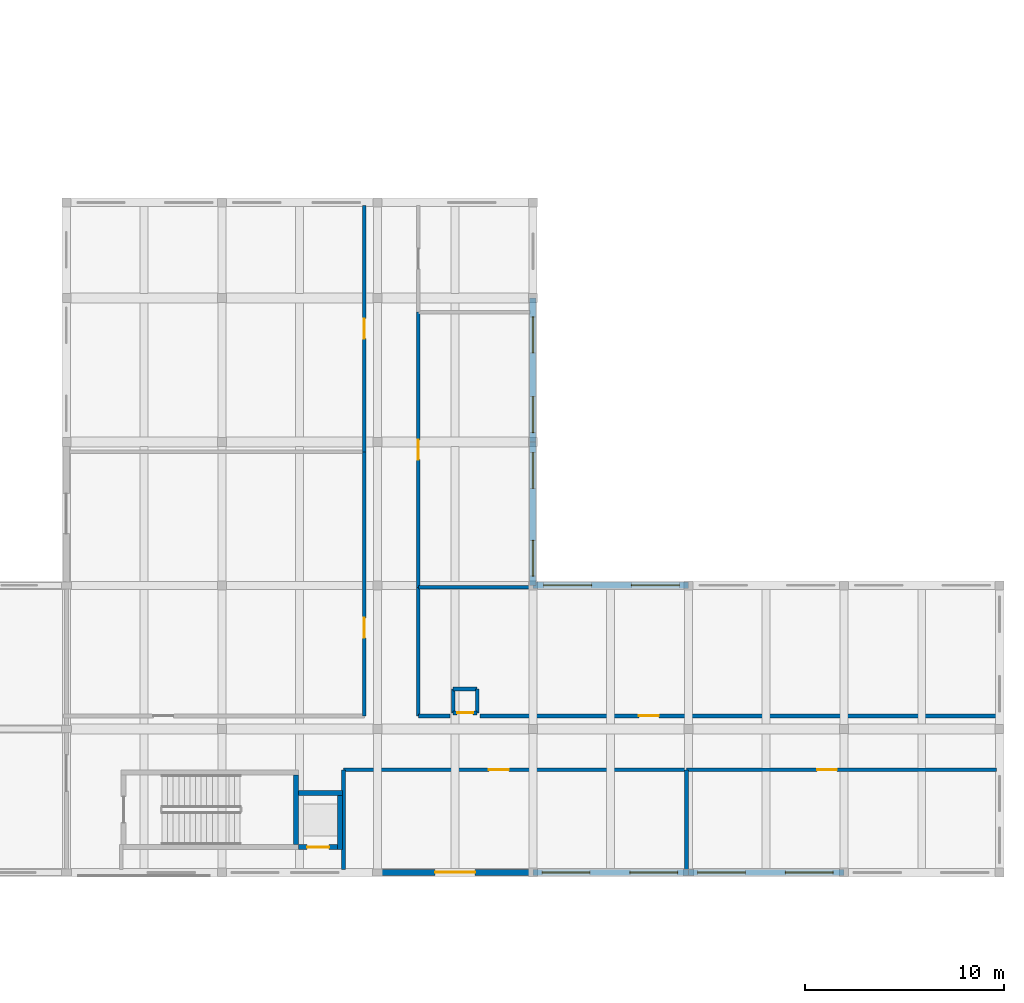
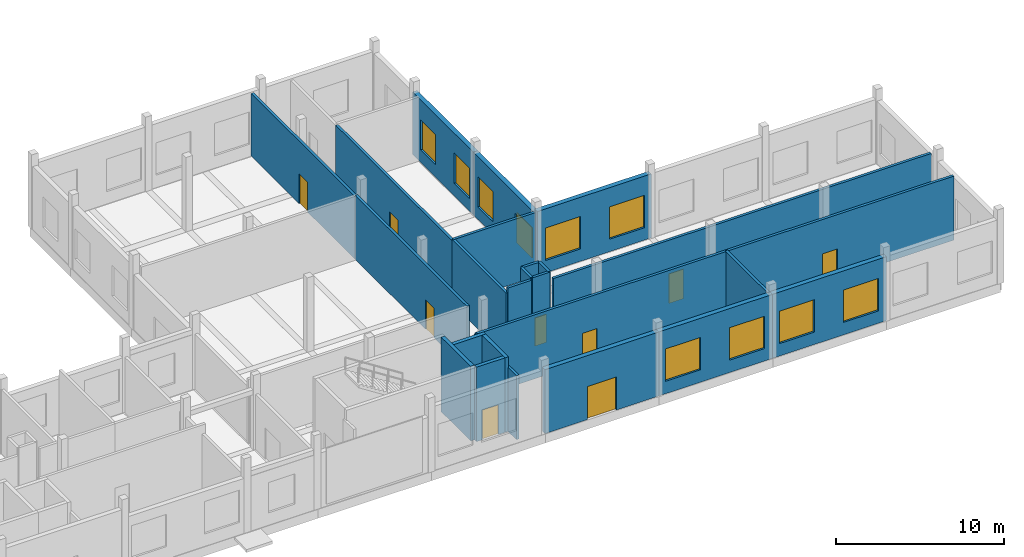
# One storey, part 27 of 41: 25 walls, 10 windows, 9 doors, 19 openings.
"""IFC4 building model written with IfcOpenShell, lengths in metres."""

from ifc_helpers import new_model, si_unit, direction, frame, frame_2d, origin, place, context, subcontext, project, spatial, rectangle, extrude, material, layer, layer_set, type_object, element, fill, save


model = new_model("IFC4")

# Units and contexts
model_context = context("Model", 3, precision=1e-05, world=origin(), true_north=direction((0.0, 1.0)))
body_context = subcontext(model_context, "Body", "Model", "MODEL_VIEW")
ifc_project = project(units=[si_unit("LENGTHUNIT", "METRE"), si_unit("AREAUNIT", "SQUARE_METRE"), si_unit("VOLUMEUNIT", "CUBIC_METRE"), si_unit("PLANEANGLEUNIT", "RADIAN"), si_unit("MASSUNIT", "GRAM", prefix="KILO")], contexts=[model_context])

# Site, building, storey
site_placement = place(None, origin())
site = spatial("IfcSite", under=ifc_project, at=site_placement, CompositionType="ELEMENT")
building_placement = place(site_placement, origin())
building = spatial("IfcBuilding", under=site, at=building_placement, Name="Kahlenmark Community Centre", CompositionType="ELEMENT")
storey_placement = place(building_placement, origin())
storey = spatial("IfcBuildingStorey", under=building, at=storey_placement, Name="L00", CompositionType="ELEMENT", Elevation=0.0)

# Walls
ifc_material_1 = material(Name="Concrete C35/45", Category="concrete")
ifc_layer_1 = layer(ifc_material_1, 0.25)
ifc_layer_set_1 = layer_set([ifc_layer_1], Name="Concrete C35/45")
wall_type_1 = type_object("IfcWallType", Name="WT-CORE-250", PredefinedType="SHEAR", material=ifc_layer_set_1)
wall_1_placement = place(storey_placement, frame((133.125, 10.199951171875, 0.0), z_axis=(0.0, 0.0, 1.0), x_axis=(0.0, 1.0, 0.0)))
element("IfcWall", 1, at=wall_1_placement, inside=storey, type_object=wall_type_1, Name="Core K8 shear wall WL-CORE-K8-L00-0291", PredefinedType="SHEAR", context=body_context, shape_type="SweptSolid", body=[
    extrude(rectangle(XDim=3.5, YDim=0.25, at=frame_2d((1.75, 0.0))), origin(), (0.0, 0.0, 1.0), 5.39990234375),
])
wall_2_placement = place(storey_placement, frame((133.25, 12.784912109375, 0.0), z_axis=(0.0, 0.0, 1.0), x_axis=(1.0, 0.0, 0.0)))
element("IfcWall", 2, at=wall_2_placement, inside=storey, type_object=wall_type_1, Name="Core K8 shear wall WL-CORE-K8-L00-0292", PredefinedType="SHEAR", context=body_context, shape_type="SweptSolid", body=[
    extrude(rectangle(XDim=2.2099609375, YDim=0.25, at=frame_2d((1.10498046875, 0.0))), origin(), (0.0, 0.0, 1.0), 5.39990234375),
])
wall_3_placement = place(storey_placement, frame((135.3349609375, 9.949951171875, 0.0), z_axis=(0.0, 0.0, 1.0), x_axis=(0.0, 1.0, 0.0)))
element("IfcWall", 3, at=wall_3_placement, inside=storey, type_object=wall_type_1, Name="Core K8 shear wall WL-CORE-K8-L00-0293", PredefinedType="SHEAR", context=body_context, shape_type="SweptSolid", body=[
    extrude(rectangle(XDim=2.9599609375, YDim=0.25, at=frame_2d((1.47998046875, 0.0))), origin(), (0.0, 0.0, 1.0), 5.39990234375),
])

# Wall, opening, door
wall_4_placement = place(storey_placement, frame((133.25, 10.074951171875, 0.0), z_axis=(0.0, 0.0, 1.0), x_axis=(1.0, 0.0, 0.0)))
wall_4 = element("IfcWall", 4, at=wall_4_placement, inside=storey, type_object=wall_type_1, Name="Core K8 shear wall WL-CORE-K8-L00-0294", PredefinedType="SHEAR", context=body_context, shape_type="SweptSolid", body=[
    extrude(rectangle(XDim=1.9599609375, YDim=0.25, at=frame_2d((0.97998046875, 0.0))), origin(), (0.0, 0.0, 1.0), 5.39990234375),
])
opening_1_placement = place(wall_4_placement, frame((0.429931640625, 0.0, -0.010009765625)))
opening_1 = element("IfcOpeningElement", 5, at=opening_1_placement, cuts=wall_4, Name="Opening LD-8", PredefinedType="OPENING", context=body_context, shape_type="SweptSolid", body=[
    extrude(rectangle(XDim=1.10009765625, YDim=2.159912109375, at=frame_2d((0.550048828125, 1.080078125))), frame((0.0, 0.135009765625, 0.0), z_axis=(0.0, -1.0, 0.0), x_axis=(1.0, 0.0, 0.0)), (0.0, 0.0, 1.0), 0.27001953125),
])
ifc_material_2 = material(Name="Brushed stainless steel sliding lift landing door", Category="steel")
door_type_1 = type_object("IfcDoorType", Name="DT-LD-K8", OperationType="SLIDING_TO_LEFT", PredefinedType="DOOR", material=ifc_material_2)
door_1_placement = place(opening_1_placement, frame((0.0, 0.0, 0.010009765625)))
door_1 = element("IfcDoor", 6, at=door_1_placement, inside=storey, type_object=door_type_1, Name="Lift LF-08 sliding landing door L00", OperationType="SLIDING_TO_LEFT", OverallHeight=2.14990234375, OverallWidth=1.10009765625, PredefinedType="DOOR", context=body_context, shape_type="SweptSolid", body=[
    extrude(rectangle(XDim=1.10009765625, YDim=2.14990234375, at=frame_2d((0.550048828125, 1.074951171875))), frame((0.0, 0.02490234375, 0.0), z_axis=(0.0, -1.0, 0.0), x_axis=(1.0, 0.0, 0.0)), (0.0, 0.0, 1.0), 0.050048828125),
])
fill(opening_1, door_1)

ifc_material_3 = material(Name="Danube limestone masonry", Category="masonry")
ifc_layer_2 = layer(ifc_material_3, 0.320068359375)
ifc_layer_set_2 = layer_set([ifc_layer_2], Name="Danube limestone masonry")
wall_type_2 = type_object("IfcWallType", Name="WT-EW-320", PredefinedType="SOLIDWALL", material=ifc_layer_set_2)
wall_5_placement = place(storey_placement, frame((137.199951171875, 8.800048828125, 0.0), z_axis=(0.0, 0.0, 1.0), x_axis=(1.0, 0.0, 0.0)))
wall_5 = element("IfcWall", 7, at=wall_5_placement, inside=storey, type_object=wall_type_2, Name="Exterior wall WL-EXT-L00-0221", PredefinedType="SOLIDWALL", context=body_context, shape_type="SweptSolid", body=[
    extrude(rectangle(XDim=7.800048828125, YDim=0.320068359375, at=frame_2d((3.89990234375, 0.0))), origin(), (0.0, 0.0, 1.0), 4.639892578125),
])
opening_2_placement = place(wall_5_placement, frame((2.89990234375, 0.0, -0.010009765625)))
opening_2 = element("IfcOpeningElement", 8, at=opening_2_placement, cuts=wall_5, Name="Opening D-E06", PredefinedType="OPENING", context=body_context, shape_type="SweptSolid", body=[
    extrude(rectangle(XDim=2.0, YDim=2.409912109375, at=frame_2d((1.0, 1.205078125))), frame((0.0, 0.169921875, 0.0), z_axis=(0.0, -1.0, 0.0), x_axis=(1.0, 0.0, 0.0)), (0.0, 0.0, 1.0), 0.340087890625),
])
ifc_material_4 = material(Name="Thermally broken glazed aluminium double entrance door", Category="aluminium")
door_type_2 = type_object("IfcDoorType", Name="DT-EXT-200X240", OperationType="NOTDEFINED", PredefinedType="DOOR", material=ifc_material_4)
door_2_placement = place(opening_2_placement, frame((0.0, 0.0, 0.010009765625)))
door_2 = element("IfcDoor", 9, at=door_2_placement, inside=storey, type_object=door_type_2, Name="Exterior door D-E06", OperationType="DOUBLE_SWING_LEFT", OverallHeight=2.39990234375, OverallWidth=2.0, PredefinedType="DOOR", context=body_context, shape_type="SweptSolid", body=[
    extrude(rectangle(XDim=2.0, YDim=2.39990234375, at=frame_2d((1.0, 1.199951171875))), frame((0.0, 0.02490234375, 0.0), z_axis=(0.0, -1.0, 0.0), x_axis=(1.0, 0.0, 0.0)), (0.0, 0.0, 1.0), 0.050048828125),
])
fill(opening_2, door_2)

# Wall, openings, windows
wall_6_placement = place(storey_placement, frame((145.0, 8.800048828125, 0.0), z_axis=(0.0, 0.0, 1.0), x_axis=(1.0, 0.0, 0.0)))
wall_6 = element("IfcWall", 10, at=wall_6_placement, inside=storey, type_object=wall_type_2, Name="Exterior wall WL-EXT-L00-0222", PredefinedType="SOLIDWALL", context=body_context, shape_type="SweptSolid", body=[
    extrude(rectangle(XDim=7.800048828125, YDim=0.320068359375, at=frame_2d((3.89990234375, 0.0))), origin(), (0.0, 0.0, 1.0), 4.639892578125),
])
opening_3_placement = place(wall_6_placement, frame((0.4599609375, 0.0, 0.89990234375)))
opening_3 = element("IfcOpeningElement", 11, at=opening_3_placement, cuts=wall_6, Name="Opening W-240X235", PredefinedType="OPENING", context=body_context, shape_type="SweptSolid", body=[
    extrude(rectangle(XDim=2.39990234375, YDim=2.35009765625, at=frame_2d((1.199951171875, 1.175048828125))), frame((0.0, 0.169921875, 0.0), z_axis=(0.0, -1.0, 0.0), x_axis=(1.0, 0.0, 0.0)), (0.0, 0.0, 1.0), 0.340087890625),
])
opening_4_placement = place(wall_6_placement, frame((4.860107421875, 0.0, 0.89990234375)))
opening_4 = element("IfcOpeningElement", 12, at=opening_4_placement, cuts=wall_6, Name="Opening W-240X235", PredefinedType="OPENING", context=body_context, shape_type="SweptSolid", body=[
    extrude(rectangle(XDim=2.39990234375, YDim=2.35009765625, at=frame_2d((1.199951171875, 1.175048828125))), frame((0.0, 0.169921875, 0.0), z_axis=(0.0, -1.0, 0.0), x_axis=(1.0, 0.0, 0.0)), (0.0, 0.0, 1.0), 0.340087890625),
])
ifc_material_5 = material(Name="Triple low-e insulated glazing in timber-aluminium frame", Category="wood")
window_type_1 = type_object("IfcWindowType", Name="WNT-240X235", PartitioningType="TRIPLE_PANEL_VERTICAL", PredefinedType="WINDOW", material=ifc_material_5)
window_1_placement = place(opening_3_placement, origin())
window_1 = element("IfcWindow", 13, at=window_1_placement, inside=storey, type_object=window_type_1, Name="Window W-240X235 #0130", OverallHeight=2.35009765625, OverallWidth=2.39990234375, PartitioningType="TRIPLE_PANEL_VERTICAL", PredefinedType="WINDOW", context=body_context, shape_type="SweptSolid", body=[
    extrude(rectangle(XDim=2.39990234375, YDim=2.35009765625, at=frame_2d((1.199951171875, 1.175048828125))), frame((0.0, 0.030029296875, 0.0), z_axis=(0.0, -1.0, 0.0), x_axis=(1.0, 0.0, 0.0)), (0.0, 0.0, 1.0), 0.06005859375),
])
fill(opening_3, window_1)
window_2_placement = place(opening_4_placement, origin())
window_2 = element("IfcWindow", 14, at=window_2_placement, inside=storey, type_object=window_type_1, Name="Window W-240X235 #0131", OverallHeight=2.35009765625, OverallWidth=2.39990234375, PartitioningType="TRIPLE_PANEL_VERTICAL", PredefinedType="WINDOW", context=body_context, shape_type="SweptSolid", body=[
    extrude(rectangle(XDim=2.39990234375, YDim=2.35009765625, at=frame_2d((1.199951171875, 1.175048828125))), frame((0.0, 0.030029296875, 0.0), z_axis=(0.0, -1.0, 0.0), x_axis=(1.0, 0.0, 0.0)), (0.0, 0.0, 1.0), 0.06005859375),
])
fill(opening_4, window_2)

wall_7_placement = place(storey_placement, frame((152.800048828125, 8.800048828125, 0.0), z_axis=(0.0, 0.0, 1.0), x_axis=(1.0, 0.0, 0.0)))
wall_7 = element("IfcWall", 15, at=wall_7_placement, inside=storey, type_object=wall_type_2, Name="Exterior wall WL-EXT-L00-0223", PredefinedType="SOLIDWALL", context=body_context, shape_type="SweptSolid", body=[
    extrude(rectangle(XDim=7.800048828125, YDim=0.320068359375, at=frame_2d((3.89990234375, 0.0))), origin(), (0.0, 0.0, 1.0), 4.639892578125),
])
opening_5_placement = place(wall_7_placement, frame((0.4599609375, 0.0, 0.89990234375)))
opening_5 = element("IfcOpeningElement", 16, at=opening_5_placement, cuts=wall_7, Name="Opening W-240X235", PredefinedType="OPENING", context=body_context, shape_type="SweptSolid", body=[
    extrude(rectangle(XDim=2.39990234375, YDim=2.35009765625, at=frame_2d((1.199951171875, 1.175048828125))), frame((0.0, 0.169921875, 0.0), z_axis=(0.0, -1.0, 0.0), x_axis=(1.0, 0.0, 0.0)), (0.0, 0.0, 1.0), 0.340087890625),
])
opening_6_placement = place(wall_7_placement, frame((4.860107421875, 0.0, 0.89990234375)))
opening_6 = element("IfcOpeningElement", 17, at=opening_6_placement, cuts=wall_7, Name="Opening W-240X235", PredefinedType="OPENING", context=body_context, shape_type="SweptSolid", body=[
    extrude(rectangle(XDim=2.39990234375, YDim=2.35009765625, at=frame_2d((1.199951171875, 1.175048828125))), frame((0.0, 0.169921875, 0.0), z_axis=(0.0, -1.0, 0.0), x_axis=(1.0, 0.0, 0.0)), (0.0, 0.0, 1.0), 0.340087890625),
])
window_3_placement = place(opening_5_placement, origin())
window_3 = element("IfcWindow", 18, at=window_3_placement, inside=storey, type_object=window_type_1, Name="Window W-240X235 #0132", OverallHeight=2.35009765625, OverallWidth=2.39990234375, PartitioningType="TRIPLE_PANEL_VERTICAL", PredefinedType="WINDOW", context=body_context, shape_type="SweptSolid", body=[
    extrude(rectangle(XDim=2.39990234375, YDim=2.35009765625, at=frame_2d((1.199951171875, 1.175048828125))), frame((0.0, 0.030029296875, 0.0), z_axis=(0.0, -1.0, 0.0), x_axis=(1.0, 0.0, 0.0)), (0.0, 0.0, 1.0), 0.06005859375),
])
fill(opening_5, window_3)
window_4_placement = place(opening_6_placement, origin())
window_4 = element("IfcWindow", 19, at=window_4_placement, inside=storey, type_object=window_type_1, Name="Window W-240X235 #0133", OverallHeight=2.35009765625, OverallWidth=2.39990234375, PartitioningType="TRIPLE_PANEL_VERTICAL", PredefinedType="WINDOW", context=body_context, shape_type="SweptSolid", body=[
    extrude(rectangle(XDim=2.39990234375, YDim=2.35009765625, at=frame_2d((1.199951171875, 1.175048828125))), frame((0.0, 0.030029296875, 0.0), z_axis=(0.0, -1.0, 0.0), x_axis=(1.0, 0.0, 0.0)), (0.0, 0.0, 1.0), 0.06005859375),
])
fill(opening_6, window_4)

wall_8_placement = place(storey_placement, frame((152.800048828125, 23.199951171875, 0.0), z_axis=(0.0, 0.0, 1.0), x_axis=(-1.0, 0.0, 0.0)))
wall_8 = element("IfcWall", 20, at=wall_8_placement, inside=storey, type_object=wall_type_2, Name="Exterior wall WL-EXT-L00-0225", PredefinedType="SOLIDWALL", context=body_context, shape_type="SweptSolid", body=[
    extrude(rectangle(XDim=7.800048828125, YDim=0.320068359375, at=frame_2d((3.89990234375, 0.0))), origin(), (0.0, 0.0, 1.0), 4.639892578125),
])
opening_7_placement = place(wall_8_placement, frame((0.4599609375, 0.0, 0.89990234375)))
opening_7 = element("IfcOpeningElement", 21, at=opening_7_placement, cuts=wall_8, Name="Opening W-240X235", PredefinedType="OPENING", context=body_context, shape_type="SweptSolid", body=[
    extrude(rectangle(XDim=2.39990234375, YDim=2.35009765625, at=frame_2d((1.199951171875, 1.175048828125))), frame((0.0, 0.169921875, 0.0), z_axis=(0.0, -1.0, 0.0), x_axis=(1.0, 0.0, 0.0)), (0.0, 0.0, 1.0), 0.340087890625),
])
opening_8_placement = place(wall_8_placement, frame((4.860107421875, 0.0, 0.89990234375)))
opening_8 = element("IfcOpeningElement", 22, at=opening_8_placement, cuts=wall_8, Name="Opening W-240X235", PredefinedType="OPENING", context=body_context, shape_type="SweptSolid", body=[
    extrude(rectangle(XDim=2.39990234375, YDim=2.35009765625, at=frame_2d((1.199951171875, 1.175048828125))), frame((0.0, 0.169921875, 0.0), z_axis=(0.0, -1.0, 0.0), x_axis=(1.0, 0.0, 0.0)), (0.0, 0.0, 1.0), 0.340087890625),
])
window_5_placement = place(opening_7_placement, origin())
window_5 = element("IfcWindow", 23, at=window_5_placement, inside=storey, type_object=window_type_1, Name="Window W-240X235 #0136", OverallHeight=2.35009765625, OverallWidth=2.39990234375, PartitioningType="TRIPLE_PANEL_VERTICAL", PredefinedType="WINDOW", context=body_context, shape_type="SweptSolid", body=[
    extrude(rectangle(XDim=2.39990234375, YDim=2.35009765625, at=frame_2d((1.199951171875, 1.175048828125))), frame((0.0, 0.030029296875, 0.0), z_axis=(0.0, -1.0, 0.0), x_axis=(1.0, 0.0, 0.0)), (0.0, 0.0, 1.0), 0.06005859375),
])
fill(opening_7, window_5)
window_6_placement = place(opening_8_placement, origin())
window_6 = element("IfcWindow", 24, at=window_6_placement, inside=storey, type_object=window_type_1, Name="Window W-240X235 #0137", OverallHeight=2.35009765625, OverallWidth=2.39990234375, PartitioningType="TRIPLE_PANEL_VERTICAL", PredefinedType="WINDOW", context=body_context, shape_type="SweptSolid", body=[
    extrude(rectangle(XDim=2.39990234375, YDim=2.35009765625, at=frame_2d((1.199951171875, 1.175048828125))), frame((0.0, 0.030029296875, 0.0), z_axis=(0.0, -1.0, 0.0), x_axis=(1.0, 0.0, 0.0)), (0.0, 0.0, 1.0), 0.06005859375),
])
fill(opening_8, window_6)

wall_9_placement = place(storey_placement, frame((145.0, 23.199951171875, 0.0), z_axis=(0.0, 0.0, 1.0), x_axis=(0.0, 1.0, 0.0)))
wall_9 = element("IfcWall", 25, at=wall_9_placement, inside=storey, type_object=wall_type_2, Name="Exterior wall WL-EXT-L00-0236", PredefinedType="SOLIDWALL", context=body_context, shape_type="SweptSolid", body=[
    extrude(rectangle(XDim=7.199951171875, YDim=0.320068359375, at=frame_2d((3.60009765625, 0.0))), origin(), (0.0, 0.0, 1.0), 4.5400390625),
])
opening_9_placement = place(wall_9_placement, frame((0.4599609375, 0.0, 0.89990234375)))
opening_9 = element("IfcOpeningElement", 26, at=opening_9_placement, cuts=wall_9, Name="Opening W-180X220", PredefinedType="OPENING", context=body_context, shape_type="SweptSolid", body=[
    extrude(rectangle(XDim=1.800048828125, YDim=2.199951171875, at=frame_2d((0.89990234375, 1.10009765625))), frame((0.0, 0.169921875, 0.0), z_axis=(0.0, -1.0, 0.0), x_axis=(1.0, 0.0, 0.0)), (0.0, 0.0, 1.0), 0.340087890625),
])
opening_10_placement = place(wall_9_placement, frame((4.860107421875, 0.0, 0.89990234375)))
opening_10 = element("IfcOpeningElement", 27, at=opening_10_placement, cuts=wall_9, Name="Opening W-180X220", PredefinedType="OPENING", context=body_context, shape_type="SweptSolid", body=[
    extrude(rectangle(XDim=1.800048828125, YDim=2.199951171875, at=frame_2d((0.89990234375, 1.10009765625))), frame((0.0, 0.169921875, 0.0), z_axis=(0.0, -1.0, 0.0), x_axis=(1.0, 0.0, 0.0)), (0.0, 0.0, 1.0), 0.340087890625),
])
window_type_2 = type_object("IfcWindowType", Name="WNT-180X220", PartitioningType="DOUBLE_PANEL_VERTICAL", PredefinedType="WINDOW", material=ifc_material_5)
window_7_placement = place(opening_9_placement, origin())
window_7 = element("IfcWindow", 28, at=window_7_placement, inside=storey, type_object=window_type_2, Name="Window W-180X220 #0154", OverallHeight=2.199951171875, OverallWidth=1.800048828125, PartitioningType="DOUBLE_PANEL_VERTICAL", PredefinedType="WINDOW", context=body_context, shape_type="SweptSolid", body=[
    extrude(rectangle(XDim=1.800048828125, YDim=2.199951171875, at=frame_2d((0.89990234375, 1.10009765625))), frame((0.0, 0.030029296875, 0.0), z_axis=(0.0, -1.0, 0.0), x_axis=(1.0, 0.0, 0.0)), (0.0, 0.0, 1.0), 0.06005859375),
])
fill(opening_9, window_7)
window_8_placement = place(opening_10_placement, origin())
window_8 = element("IfcWindow", 29, at=window_8_placement, inside=storey, type_object=window_type_2, Name="Window W-180X220 #0155", OverallHeight=2.199951171875, OverallWidth=1.800048828125, PartitioningType="DOUBLE_PANEL_VERTICAL", PredefinedType="WINDOW", context=body_context, shape_type="SweptSolid", body=[
    extrude(rectangle(XDim=1.800048828125, YDim=2.199951171875, at=frame_2d((0.89990234375, 1.10009765625))), frame((0.0, 0.030029296875, 0.0), z_axis=(0.0, -1.0, 0.0), x_axis=(1.0, 0.0, 0.0)), (0.0, 0.0, 1.0), 0.06005859375),
])
fill(opening_10, window_8)

wall_10_placement = place(storey_placement, frame((145.0, 30.39990234375, 0.0), z_axis=(0.0, 0.0, 1.0), x_axis=(0.0, 1.0, 0.0)))
wall_10 = element("IfcWall", 30, at=wall_10_placement, inside=storey, type_object=wall_type_2, Name="Exterior wall WL-EXT-L00-0237", PredefinedType="SOLIDWALL", context=body_context, shape_type="SweptSolid", body=[
    extrude(rectangle(XDim=7.2001953125, YDim=0.320068359375, at=frame_2d((3.60009765625, 0.0))), origin(), (0.0, 0.0, 1.0), 4.5400390625),
])
opening_11_placement = place(wall_10_placement, frame((0.4599609375, 0.0, 0.89990234375)))
opening_11 = element("IfcOpeningElement", 31, at=opening_11_placement, cuts=wall_10, Name="Opening W-180X220", PredefinedType="OPENING", context=body_context, shape_type="SweptSolid", body=[
    extrude(rectangle(XDim=1.800048828125, YDim=2.199951171875, at=frame_2d((0.89990234375, 1.10009765625))), frame((0.0, 0.169921875, 0.0), z_axis=(0.0, -1.0, 0.0), x_axis=(1.0, 0.0, 0.0)), (0.0, 0.0, 1.0), 0.340087890625),
])
opening_12_placement = place(wall_10_placement, frame((4.4599609375, 0.0, 0.89990234375)))
opening_12 = element("IfcOpeningElement", 32, at=opening_12_placement, cuts=wall_10, Name="Opening W-180X220", PredefinedType="OPENING", context=body_context, shape_type="SweptSolid", body=[
    extrude(rectangle(XDim=1.800048828125, YDim=2.199951171875, at=frame_2d((0.89990234375, 1.10009765625))), frame((0.0, 0.169921875, 0.0), z_axis=(0.0, -1.0, 0.0), x_axis=(1.0, 0.0, 0.0)), (0.0, 0.0, 1.0), 0.340087890625),
])
window_9_placement = place(opening_11_placement, origin())
window_9 = element("IfcWindow", 33, at=window_9_placement, inside=storey, type_object=window_type_2, Name="Window W-180X220 #0156", OverallHeight=2.199951171875, OverallWidth=1.800048828125, PartitioningType="DOUBLE_PANEL_VERTICAL", PredefinedType="WINDOW", context=body_context, shape_type="SweptSolid", body=[
    extrude(rectangle(XDim=1.800048828125, YDim=2.199951171875, at=frame_2d((0.89990234375, 1.10009765625))), frame((0.0, 0.030029296875, 0.0), z_axis=(0.0, -1.0, 0.0), x_axis=(1.0, 0.0, 0.0)), (0.0, 0.0, 1.0), 0.06005859375),
])
fill(opening_11, window_9)
window_10_placement = place(opening_12_placement, origin())
window_10 = element("IfcWindow", 34, at=window_10_placement, inside=storey, type_object=window_type_2, Name="Window W-180X220 #0157", OverallHeight=2.199951171875, OverallWidth=1.800048828125, PartitioningType="DOUBLE_PANEL_VERTICAL", PredefinedType="WINDOW", context=body_context, shape_type="SweptSolid", body=[
    extrude(rectangle(XDim=1.800048828125, YDim=2.199951171875, at=frame_2d((0.89990234375, 1.10009765625))), frame((0.0, 0.030029296875, 0.0), z_axis=(0.0, -1.0, 0.0), x_axis=(1.0, 0.0, 0.0)), (0.0, 0.0, 1.0), 0.06005859375),
])
fill(opening_12, window_10)

# Wall
ifc_material_6 = material(Name="Gypsum plasterboard partition", Category="gypsum")
ifc_layer_3 = layer(ifc_material_6, 0.179931640625)
ifc_layer_set_3 = layer_set([ifc_layer_3], Name="Gypsum plasterboard partition")
wall_type_3 = type_object("IfcWallType", Name="WT-PW-180", PredefinedType="PARTITIONING", material=ifc_layer_set_3)
wall_11_placement = place(storey_placement, frame((135.5, 8.949951171875, 0.0), z_axis=(0.0, 0.0, 1.0), x_axis=(0.0, 1.0, 0.0)))
element("IfcWall", 35, at=wall_11_placement, inside=storey, type_object=wall_type_3, Name="Interior partition WL-INT-L00-0055", PredefinedType="PARTITIONING", context=body_context, shape_type="SweptSolid", body=[
    extrude(rectangle(XDim=5.0, YDim=0.179931640625, at=frame_2d((2.5, 0.0))), origin(), (0.0, 0.0, 1.0), 4.639892578125),
])

# Wall, opening, door
wall_12_placement = place(storey_placement, frame((135.5, 13.949951171875, 0.0), z_axis=(0.0, 0.0, 1.0), x_axis=(1.0, 0.0, 0.0)))
wall_12 = element("IfcWall", 36, at=wall_12_placement, inside=storey, type_object=wall_type_3, Name="Interior partition WL-INT-L00-0056", PredefinedType="PARTITIONING", context=body_context, shape_type="SweptSolid", body=[
    extrude(rectangle(XDim=17.199951171875, YDim=0.179931640625, at=frame_2d((8.60009765625, 0.0))), origin(), (0.0, 0.0, 1.0), 4.639892578125),
])
opening_13_placement = place(wall_12_placement, frame((7.2900390625, 0.0, -0.010009765625)))
opening_13 = element("IfcOpeningElement", 37, at=opening_13_placement, cuts=wall_12, Name="Opening D-L00-037", PredefinedType="OPENING", context=body_context, shape_type="SweptSolid", body=[
    extrude(rectangle(XDim=1.0, YDim=2.159912109375, at=frame_2d((0.5, 1.080078125))), frame((0.0, 0.099853515625, 0.0), z_axis=(0.0, -1.0, 0.0), x_axis=(1.0, 0.0, 0.0)), (0.0, 0.0, 1.0), 0.199951171875),
])
ifc_material_7 = material(Name="Oak timber veneer door leaf", Category="wood")
door_type_3 = type_object("IfcDoorType", Name="DT-INT-100X215", OperationType="NOTDEFINED", PredefinedType="DOOR", material=ifc_material_7)
door_3_placement = place(opening_13_placement, frame((0.0, 0.0, 0.010009765625)))
door_3 = element("IfcDoor", 38, at=door_3_placement, inside=storey, type_object=door_type_3, Name="Interior door D-L00-037", OperationType="SINGLE_SWING_RIGHT", OverallHeight=2.14990234375, OverallWidth=1.0, PredefinedType="DOOR", context=body_context, shape_type="SweptSolid", body=[
    extrude(rectangle(XDim=1.0, YDim=2.14990234375, at=frame_2d((0.5, 1.074951171875))), frame((0.0, 0.02490234375, 0.0), z_axis=(0.0, -1.0, 0.0), x_axis=(1.0, 0.0, 0.0)), (0.0, 0.0, 1.0), 0.050048828125),
])
fill(opening_13, door_3)

wall_13_placement = place(storey_placement, frame((152.699951171875, 13.949951171875, 0.0), z_axis=(0.0, 0.0, 1.0), x_axis=(1.0, 0.0, 0.0)))
wall_13 = element("IfcWall", 39, at=wall_13_placement, inside=storey, type_object=wall_type_3, Name="Interior partition WL-INT-L00-0057", PredefinedType="PARTITIONING", context=body_context, shape_type="SweptSolid", body=[
    extrude(rectangle(XDim=15.550048828125, YDim=0.179931640625, at=frame_2d((7.77490234375, 0.0))), origin(), (0.0, 0.0, 1.0), 4.639892578125),
])
opening_14_placement = place(wall_13_placement, frame((6.548095703125, 0.0, -0.010009765625)))
opening_14 = element("IfcOpeningElement", 40, at=opening_14_placement, cuts=wall_13, Name="Opening D-L00-038", PredefinedType="OPENING", context=body_context, shape_type="SweptSolid", body=[
    extrude(rectangle(XDim=1.0, YDim=2.159912109375, at=frame_2d((0.5, 1.080078125))), frame((0.0, 0.099853515625, 0.0), z_axis=(0.0, -1.0, 0.0), x_axis=(1.0, 0.0, 0.0)), (0.0, 0.0, 1.0), 0.199951171875),
])
door_4_placement = place(opening_14_placement, frame((0.0, 0.0, 0.010009765625)))
door_4 = element("IfcDoor", 41, at=door_4_placement, inside=storey, type_object=door_type_3, Name="Interior door D-L00-038", OperationType="SINGLE_SWING_LEFT", OverallHeight=2.14990234375, OverallWidth=1.0, PredefinedType="DOOR", context=body_context, shape_type="SweptSolid", body=[
    extrude(rectangle(XDim=1.0, YDim=2.14990234375, at=frame_2d((0.5, 1.074951171875))), frame((0.0, 0.02490234375, 0.0), z_axis=(0.0, -1.0, 0.0), x_axis=(1.0, 0.0, 0.0)), (0.0, 0.0, 1.0), 0.050048828125),
])
fill(opening_14, door_4)

# Wall
wall_14_placement = place(storey_placement, frame((152.699951171875, 8.949951171875, 0.0), z_axis=(0.0, 0.0, 1.0), x_axis=(0.0, 1.0, 0.0)))
element("IfcWall", 42, at=wall_14_placement, inside=storey, type_object=wall_type_3, Name="Interior partition WL-INT-L00-0058", PredefinedType="PARTITIONING", context=body_context, shape_type="SweptSolid", body=[
    extrude(rectangle(XDim=5.0, YDim=0.179931640625, at=frame_2d((2.5, 0.0))), origin(), (0.0, 0.0, 1.0), 4.639892578125),
])

# Wall, opening, door
wall_15_placement = place(storey_placement, frame((136.550048828125, 16.64990234375, 0.0), z_axis=(0.0, 0.0, 1.0), x_axis=(0.0, 1.0, 0.0)))
wall_15 = element("IfcWall", 43, at=wall_15_placement, inside=storey, type_object=wall_type_3, Name="Interior partition WL-INT-L00-0060", PredefinedType="PARTITIONING", context=body_context, shape_type="SweptSolid", body=[
    extrude(rectangle(XDim=13.25, YDim=0.179931640625, at=frame_2d((6.625, 0.0))), origin(), (0.0, 0.0, 1.0), 4.639892578125),
])
opening_15_placement = place(wall_15_placement, frame((3.919921875, 0.0, -0.010009765625)))
opening_15 = element("IfcOpeningElement", 44, at=opening_15_placement, cuts=wall_15, Name="Opening D-L00-040", PredefinedType="OPENING", context=body_context, shape_type="SweptSolid", body=[
    extrude(rectangle(XDim=1.0, YDim=2.159912109375, at=frame_2d((0.5, 1.080078125))), frame((0.0, 0.099853515625, 0.0), z_axis=(0.0, -1.0, 0.0), x_axis=(1.0, 0.0, 0.0)), (0.0, 0.0, 1.0), 0.199951171875),
])
door_5_placement = place(opening_15_placement, frame((0.0, 0.0, 0.010009765625)))
door_5 = element("IfcDoor", 45, at=door_5_placement, inside=storey, type_object=door_type_3, Name="Interior door D-L00-040", OperationType="SINGLE_SWING_LEFT", OverallHeight=2.14990234375, OverallWidth=1.0, PredefinedType="DOOR", context=body_context, shape_type="SweptSolid", body=[
    extrude(rectangle(XDim=1.0, YDim=2.14990234375, at=frame_2d((0.5, 1.074951171875))), frame((0.0, 0.02490234375, 0.0), z_axis=(0.0, -1.0, 0.0), x_axis=(1.0, 0.0, 0.0)), (0.0, 0.0, 1.0), 0.050048828125),
])
fill(opening_15, door_5)

wall_16_placement = place(storey_placement, frame((136.550048828125, 29.89990234375, 0.0), z_axis=(0.0, 0.0, 1.0), x_axis=(0.0, 1.0, 0.0)))
wall_16 = element("IfcWall", 46, at=wall_16_placement, inside=storey, type_object=wall_type_3, Name="Interior partition WL-INT-L00-0061", PredefinedType="PARTITIONING", context=body_context, shape_type="SweptSolid", body=[
    extrude(rectangle(XDim=12.35009765625, YDim=0.179931640625, at=frame_2d((6.175048828125, 0.0))), origin(), (0.0, 0.0, 1.0), 4.5400390625),
])
opening_16_placement = place(wall_16_placement, frame((5.675048828125, 0.0, -0.010009765625)))
opening_16 = element("IfcOpeningElement", 47, at=opening_16_placement, cuts=wall_16, Name="Opening D-L00-041", PredefinedType="OPENING", context=body_context, shape_type="SweptSolid", body=[
    extrude(rectangle(XDim=1.0, YDim=2.159912109375, at=frame_2d((0.5, 1.080078125))), frame((0.0, 0.099853515625, 0.0), z_axis=(0.0, -1.0, 0.0), x_axis=(1.0, 0.0, 0.0)), (0.0, 0.0, 1.0), 0.199951171875),
])
door_6_placement = place(opening_16_placement, frame((0.0, 0.0, 0.010009765625)))
door_6 = element("IfcDoor", 48, at=door_6_placement, inside=storey, type_object=door_type_3, Name="Interior door D-L00-041", OperationType="SINGLE_SWING_RIGHT", OverallHeight=2.14990234375, OverallWidth=1.0, PredefinedType="DOOR", context=body_context, shape_type="SweptSolid", body=[
    extrude(rectangle(XDim=1.0, YDim=2.14990234375, at=frame_2d((0.5, 1.074951171875))), frame((0.0, 0.02490234375, 0.0), z_axis=(0.0, -1.0, 0.0), x_axis=(1.0, 0.0, 0.0)), (0.0, 0.0, 1.0), 0.050048828125),
])
fill(opening_16, door_6)

# Wall
wall_17_placement = place(storey_placement, frame((139.25, 16.64990234375, 0.0), z_axis=(0.0, 0.0, 1.0), x_axis=(1.0, 0.0, 0.0)))
element("IfcWall", 49, at=wall_17_placement, inside=storey, type_object=wall_type_3, Name="Interior partition WL-INT-L00-0063", PredefinedType="PARTITIONING", context=body_context, shape_type="SweptSolid", body=[
    extrude(rectangle(XDim=1.60009765625, YDim=0.179931640625, at=frame_2d((0.800048828125, 0.0))), origin(), (0.0, 0.0, 1.0), 5.0400390625),
])

# Wall, opening, door
wall_18_placement = place(storey_placement, frame((142.35009765625, 16.64990234375, 0.0), z_axis=(0.0, 0.0, 1.0), x_axis=(1.0, 0.0, 0.0)))
wall_18 = element("IfcWall", 50, at=wall_18_placement, inside=storey, type_object=wall_type_3, Name="Interior partition WL-INT-L00-0064", PredefinedType="PARTITIONING", context=body_context, shape_type="SweptSolid", body=[
    extrude(rectangle(XDim=25.89990234375, YDim=0.179931640625, at=frame_2d((12.949951171875, 0.0))), origin(), (0.0, 0.0, 1.0), 4.639892578125),
])
opening_17_placement = place(wall_18_placement, frame((7.968017578125, 0.0, -0.010009765625)))
opening_17 = element("IfcOpeningElement", 51, at=opening_17_placement, cuts=wall_18, Name="Opening D-L00-042", PredefinedType="OPENING", context=body_context, shape_type="SweptSolid", body=[
    extrude(rectangle(XDim=1.0, YDim=2.159912109375, at=frame_2d((0.5, 1.080078125))), frame((0.0, 0.099853515625, 0.0), z_axis=(0.0, -1.0, 0.0), x_axis=(1.0, 0.0, 0.0)), (0.0, 0.0, 1.0), 0.199951171875),
])
door_7_placement = place(opening_17_placement, frame((1.0, 0.0, 0.010009765625), z_axis=(0.0, 0.0, 1.0), x_axis=(-1.0, 0.0, 0.0)))
door_7 = element("IfcDoor", 52, at=door_7_placement, inside=storey, type_object=door_type_3, Name="Interior door D-L00-042", OperationType="SINGLE_SWING_LEFT", OverallHeight=2.14990234375, OverallWidth=1.0, PredefinedType="DOOR", context=body_context, shape_type="SweptSolid", body=[
    extrude(rectangle(XDim=1.0, YDim=2.14990234375, at=frame_2d((0.5, 1.074951171875))), frame((0.0, 0.02490234375, 0.0), z_axis=(0.0, -1.0, 0.0), x_axis=(1.0, 0.0, 0.0)), (0.0, 0.0, 1.0), 0.050048828125),
])
fill(opening_17, door_7)

# Walls
wall_19_placement = place(storey_placement, frame((139.25, 23.10009765625, 0.0), z_axis=(0.0, 0.0, 1.0), x_axis=(1.0, 0.0, 0.0)))
element("IfcWall", 53, at=wall_19_placement, inside=storey, type_object=wall_type_3, Name="Interior partition WL-INT-L00-0065", PredefinedType="PARTITIONING", context=body_context, shape_type="SweptSolid", body=[
    extrude(rectangle(XDim=5.60009765625, YDim=0.179931640625, at=frame_2d((2.800048828125, 0.0))), origin(), (0.0, 0.0, 1.0), 4.639892578125),
])
wall_20_placement = place(storey_placement, frame((139.25, 16.64990234375, 0.0), z_axis=(0.0, 0.0, 1.0), x_axis=(0.0, 1.0, 0.0)))
element("IfcWall", 54, at=wall_20_placement, inside=storey, type_object=wall_type_3, Name="Interior partition WL-INT-L00-0066", PredefinedType="PARTITIONING", context=body_context, shape_type="SweptSolid", body=[
    extrude(rectangle(XDim=6.4501953125, YDim=0.179931640625, at=frame_2d((3.22509765625, 0.0))), origin(), (0.0, 0.0, 1.0), 4.639892578125),
])

# Wall, opening, door
wall_21_placement = place(storey_placement, frame((139.25, 23.10009765625, 0.0), z_axis=(0.0, 0.0, 1.0), x_axis=(0.0, 1.0, 0.0)))
wall_21 = element("IfcWall", 55, at=wall_21_placement, inside=storey, type_object=wall_type_3, Name="Interior partition WL-INT-L00-0067", PredefinedType="PARTITIONING", context=body_context, shape_type="SweptSolid", body=[
    extrude(rectangle(XDim=13.7998046875, YDim=0.179931640625, at=frame_2d((6.89990234375, 0.0))), origin(), (0.0, 0.0, 1.0), 4.5400390625),
])
opening_18_placement = place(wall_21_placement, frame((6.39990234375, 0.0, -0.010009765625)))
opening_18 = element("IfcOpeningElement", 56, at=opening_18_placement, cuts=wall_21, Name="Opening D-L00-043", PredefinedType="OPENING", context=body_context, shape_type="SweptSolid", body=[
    extrude(rectangle(XDim=1.0, YDim=2.159912109375, at=frame_2d((0.5, 1.080078125))), frame((0.0, 0.099853515625, 0.0), z_axis=(0.0, -1.0, 0.0), x_axis=(1.0, 0.0, 0.0)), (0.0, 0.0, 1.0), 0.199951171875),
])
door_8_placement = place(opening_18_placement, frame((0.0, 0.0, 0.010009765625)))
door_8 = element("IfcDoor", 57, at=door_8_placement, inside=storey, type_object=door_type_3, Name="Interior door D-L00-043", OperationType="SINGLE_SWING_RIGHT", OverallHeight=2.14990234375, OverallWidth=1.0, PredefinedType="DOOR", context=body_context, shape_type="SweptSolid", body=[
    extrude(rectangle(XDim=1.0, YDim=2.14990234375, at=frame_2d((0.5, 1.074951171875))), frame((0.0, 0.02490234375, 0.0), z_axis=(0.0, -1.0, 0.0), x_axis=(1.0, 0.0, 0.0)), (0.0, 0.0, 1.0), 0.050048828125),
])
fill(opening_18, door_8)

ifc_material_8 = material(Name="Masonry blockwork", Category="masonry")
ifc_layer_4 = layer(ifc_material_8, 0.179931640625)
ifc_layer_set_4 = layer_set([ifc_layer_4], Name="Masonry blockwork")
wall_type_4 = type_object("IfcWallType", Name="WT-RISER-180", PredefinedType="SOLIDWALL", material=ifc_layer_set_4)
wall_22_placement = place(storey_placement, frame((141.0, 16.800048828125, 0.0), z_axis=(0.0, 0.0, 1.0), x_axis=(1.0, 0.0, 0.0)))
wall_22 = element("IfcWall", 58, at=wall_22_placement, inside=storey, type_object=wall_type_4, Name="Riser RS-05 shaft wall L00.1", PredefinedType="SOLIDWALL", context=body_context, shape_type="SweptSolid", body=[
    extrude(rectangle(XDim=1.199951171875, YDim=0.179931640625, at=frame_2d((0.60009765625, 0.0))), origin(), (0.0, 0.0, 1.0), 5.070068359375),
])
opening_19_placement = place(wall_22_placement, frame((0.199951171875, 0.0, -0.010009765625)))
opening_19 = element("IfcOpeningElement", 59, at=opening_19_placement, cuts=wall_22, Name="Opening FD-RS80", PredefinedType="OPENING", context=body_context, shape_type="SweptSolid", body=[
    extrude(rectangle(XDim=0.800048828125, YDim=2.06005859375, at=frame_2d((0.39990234375, 1.030029296875))), frame((0.0, 0.099853515625, 0.0), z_axis=(0.0, -1.0, 0.0), x_axis=(1.0, 0.0, 0.0)), (0.0, 0.0, 1.0), 0.199951171875),
])
ifc_material_9 = material(Name="Fire-rated steel service riser door FD60S", Category="steel")
door_type_4 = type_object("IfcDoorType", Name="DT-RISER-80X205", OperationType="NOTDEFINED", PredefinedType="DOOR", material=ifc_material_9)
door_9_placement = place(opening_19_placement, frame((0.0, 0.0, 0.010009765625)))
door_9 = element("IfcDoor", 60, at=door_9_placement, inside=storey, type_object=door_type_4, Name="Riser RS-05 access door L00", OperationType="SINGLE_SWING_RIGHT", OverallHeight=2.050048828125, OverallWidth=0.800048828125, PredefinedType="DOOR", context=body_context, shape_type="SweptSolid", body=[
    extrude(rectangle(XDim=0.800048828125, YDim=2.050048828125, at=frame_2d((0.39990234375, 1.02490234375))), frame((0.0, 0.02490234375, 0.0), z_axis=(0.0, -1.0, 0.0), x_axis=(1.0, 0.0, 0.0)), (0.0, 0.0, 1.0), 0.050048828125),
])
fill(opening_19, door_9)

# Walls
for number, where, z_axis, x_axis, name in (
    (61, (142.199951171875, 16.800048828125, 0.0), (0.0, 0.0, 1.0), (0.0, 1.0, 0.0), "Riser RS-05 shaft wall L00.2"),
    (62, (142.199951171875, 18.0, 0.0), (0.0, 0.0, 1.0), (-1.0, 0.0, 0.0), "Riser RS-05 shaft wall L00.3"),
    (63, (141.0, 18.0, 0.0), (0.0, 0.0, 1.0), (0.0, -1.0, 0.0), "Riser RS-05 shaft wall L00.4"),
):
    element("IfcWall", number, at=place(storey_placement, frame(where, z_axis=z_axis, x_axis=x_axis)), inside=storey, type_object=wall_type_4, Name=name, PredefinedType="SOLIDWALL", context=body_context, shape_type="SweptSolid", body=[
        extrude(rectangle(XDim=1.199951171875, YDim=0.179931640625, at=frame_2d((0.60009765625, 0.0))), origin(), (0.0, 0.0, 1.0), 5.070068359375),
    ])

save(model, "model.ifc")
